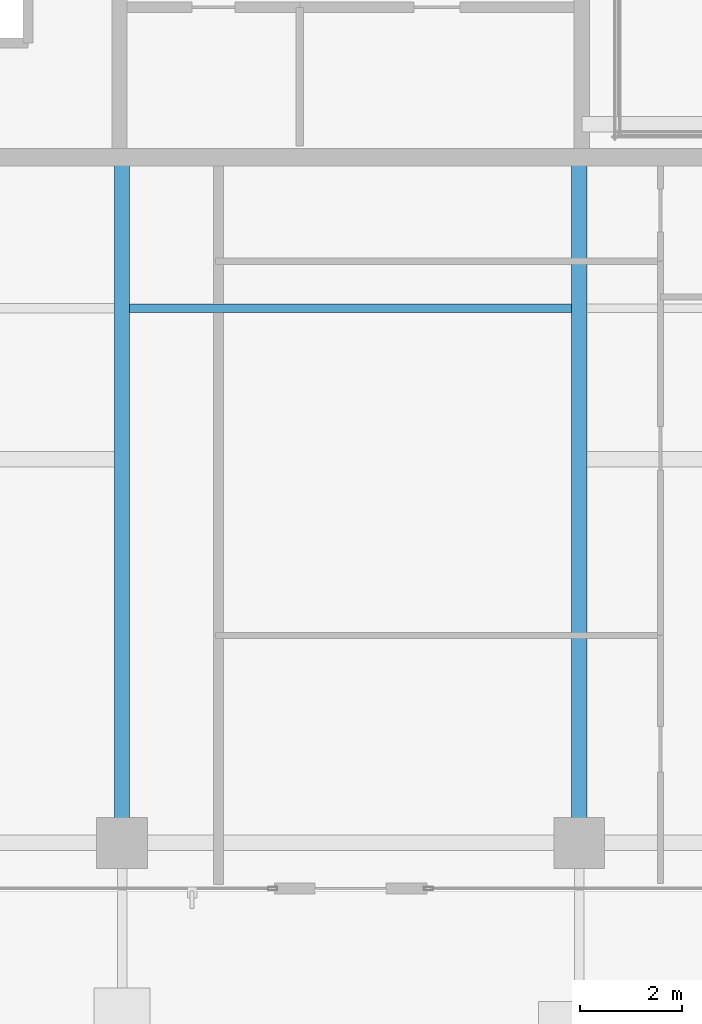
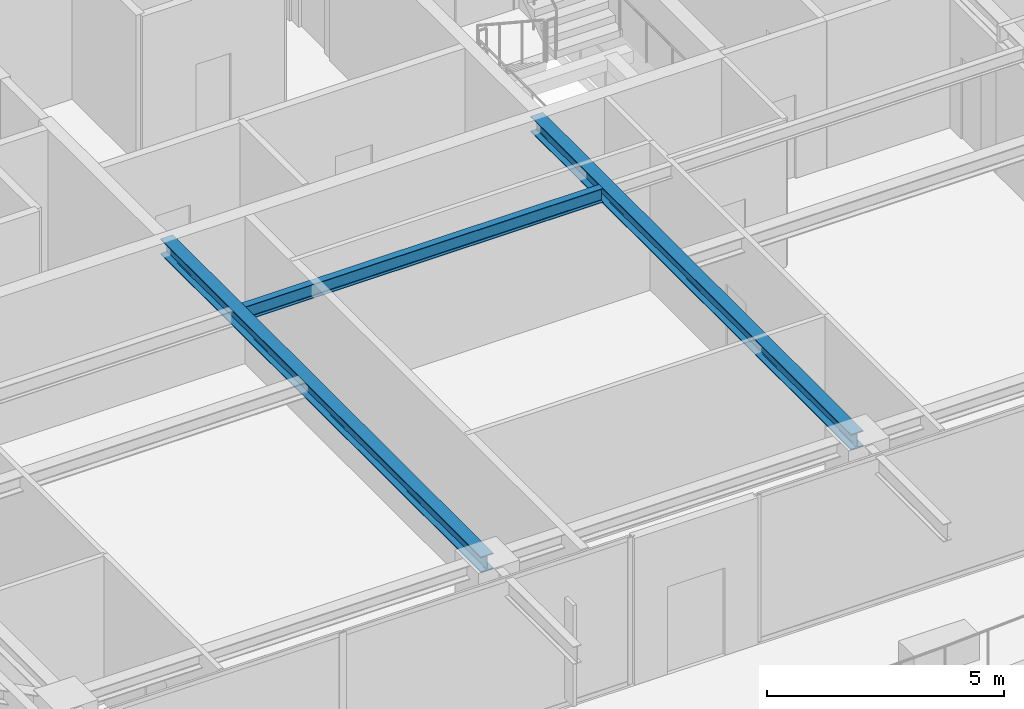
# One storey, part 6 of 41: 3 beams.
"""IFC4 building model written with IfcOpenShell, lengths in metres."""

from ifc_helpers import new_model, si_unit, direction, frame, origin, origin_2d, place, context, subcontext, project, spatial, i_section, extrude, source, transform, mapped, material, material_profile, profile_set, type_object, element, save


model = new_model("IFC4")

# Units and contexts
model_context = context("Model", 3, precision=1e-05, world=origin(), true_north=direction((0.0, 1.0)))
body_context = subcontext(model_context, "Body", "Model", "MODEL_VIEW")
ifc_project = project(units=[si_unit("LENGTHUNIT", "METRE"), si_unit("AREAUNIT", "SQUARE_METRE"), si_unit("VOLUMEUNIT", "CUBIC_METRE"), si_unit("PLANEANGLEUNIT", "RADIAN"), si_unit("MASSUNIT", "GRAM", prefix="KILO")], contexts=[model_context])

# Site, building, storey
site_placement = place(None, origin())
site = spatial("IfcSite", under=ifc_project, at=site_placement, CompositionType="ELEMENT")
building_placement = place(site_placement, origin())
building = spatial("IfcBuilding", under=site, at=building_placement, Name="Serunith Strait Residences", CompositionType="ELEMENT")
storey_placement = place(building_placement, frame((0.0, 0.0, 301.550048828125)))
storey = spatial("IfcBuildingStorey", under=building, at=storey_placement, Name="L75", CompositionType="ELEMENT", Elevation=301.550048828125)

# Beams
ifc_material = material(Name="Steel S355J2", Category="steel")
ifc_material_profile_1 = material_profile(ifc_material, i_section(OverallWidth=0.169921875, OverallDepth=0.360107421875, WebThickness=0.008056640625, FlangeThickness=0.0126953125, FilletRadius=0.01806640625, at=origin_2d()), Name="IPE 360")
ifc_profile_set_1 = profile_set([ifc_material_profile_1], Name="Steel S355J2")
beam_type_1 = type_object("IfcBeamType", Name="BM-IPE360", PredefinedType="JOIST", material=ifc_profile_set_1)
shared_shape_1 = source(origin(), body_context, "Body", "SweptSolid", [
    extrude(i_section(OverallWidth=0.169921875, OverallDepth=0.360107421875, WebThickness=0.008056640625, FlangeThickness=0.0126953125, FilletRadius=0.01806640625, at=origin_2d()), origin(), (0.0, 0.0, 1.0), 8.699951171875),
])
beam_placement = place(storey_placement, frame((28.050048828125, 13.824951171875, 3.60693359375), z_axis=(1.0, 0.0, 0.0), x_axis=(0.0, 1.0, 0.0)))
element("IfcBeam", 1, at=beam_placement, inside=storey, type_object=beam_type_1, Name="L75 Composite Floor Joist 02", PredefinedType="JOIST", context=body_context, shape_type="MappedRepresentation", body=[
    mapped(shared_shape_1, transform((0.0, 0.0, 0.0), scale=1.0)),
])
ifc_material_profile_2 = material_profile(ifc_material, i_section(OverallWidth=0.300048828125, OverallDepth=0.39990234375, WebThickness=0.013427734375, FlangeThickness=0.02392578125, FilletRadius=0.027099609375, at=origin_2d()), Name="HEB 400")
ifc_profile_set_2 = profile_set([ifc_material_profile_2], Name="Steel S355J2")
beam_type_2 = type_object("IfcBeamType", Name="BM-HEB400", PredefinedType="BEAM", material=ifc_profile_set_2)
shared_shape_2 = source(origin(), body_context, "Body", "SweptSolid", [
    extrude(i_section(OverallWidth=0.300048828125, OverallDepth=0.39990234375, WebThickness=0.013427734375, FlangeThickness=0.02392578125, FilletRadius=0.027099609375, at=origin_2d()), origin(), (0.0, 0.0, 1.0), 13.5),
])
for number, where, z_axis, x_axis, name in (
    (2, (27.89990234375, 16.800048828125, 3.5869140625), (0.0, -1.0, 0.0), (1.0, 0.0, 0.0), "L75 Primary Floor Girder TC-S2"),
    (3, (36.89990234375, 16.800048828125, 3.5869140625), (0.0, -1.0, 0.0), (1.0, 0.0, 0.0), "L75 Primary Floor Girder TC-S3"),
):
    element("IfcBeam", number, at=place(storey_placement, frame(where, z_axis=z_axis, x_axis=x_axis)), inside=storey, type_object=beam_type_2, Name=name, PredefinedType="BEAM", context=body_context, shape_type="MappedRepresentation", body=[
        mapped(shared_shape_2, transform((0.0, 0.0, 0.0), scale=1.0)),
    ])

save(model, "model.ifc")
